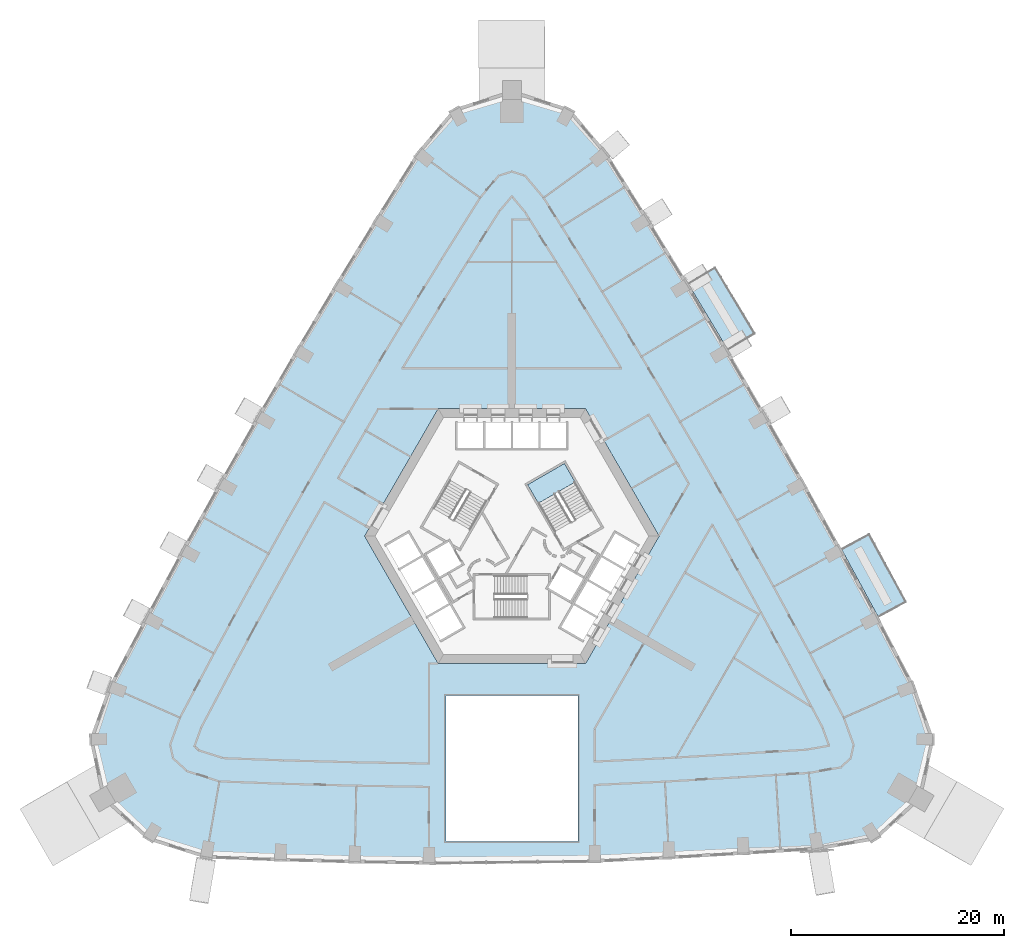
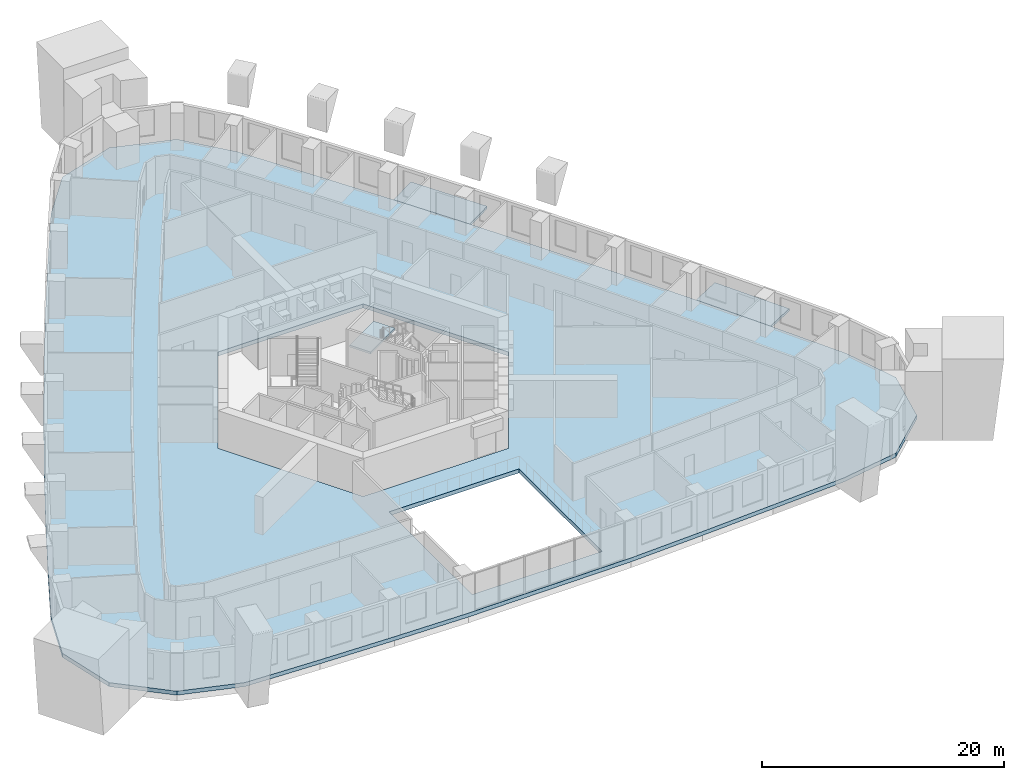
# One storey, part 3 of 15: 4 slabs, 1 element without a shape of its own.
"""IFC4 building model written with IfcOpenShell, lengths in metres."""

from ifc_helpers import new_model, si_unit, direction, frame, origin, place, context, subcontext, project, spatial, polyline, outline, extrude, material, layer, layer_set, type_object, element, aggregate, save


model = new_model("IFC4")

# Units and contexts
model_context = context("Model", 3, precision=1e-05, world=origin(), true_north=direction((0.0, 1.0)))
body_context = subcontext(model_context, "Body", "Model", "MODEL_VIEW")
ifc_project = project(units=[si_unit("LENGTHUNIT", "METRE"), si_unit("AREAUNIT", "SQUARE_METRE"), si_unit("VOLUMEUNIT", "CUBIC_METRE"), si_unit("PLANEANGLEUNIT", "RADIAN"), si_unit("MASSUNIT", "GRAM", prefix="KILO")], contexts=[model_context])

# Site, building, storey
site_placement = place(None, origin())
site = spatial("IfcSite", under=ifc_project, at=site_placement, CompositionType="ELEMENT")
building_placement = place(site_placement, origin())
building = spatial("IfcBuilding", under=site, at=building_placement, Name="Entoto Arch Interchange Tower", CompositionType="ELEMENT")
storey_placement = place(building_placement, frame((0.0, 0.0, 124.39990234375)))
storey = spatial("IfcBuildingStorey", under=building, at=storey_placement, Name="L27", CompositionType="ELEMENT", Elevation=124.39990234375)

# Slabs
ifc_material_1 = material(Name="Board-marked precast concrete C50/60", Category="concrete")
ifc_layer_1 = layer(ifc_material_1, 0.25)
ifc_layer_set_1 = layer_set([ifc_layer_1], Name="Board-marked precast concrete C50/60")
slab_type_1 = type_object("IfcSlabType", Name="BALCONY DECK PRECAST 250", PredefinedType="FLOOR", material=ifc_layer_set_1)
slab_1_placement = place(storey_placement, frame((0.0, 0.0, -0.25)))
element("IfcSlab", 1, at=slab_1_placement, inside=storey, type_object=slab_type_1, Name="Planted balcony NE-02 L27", PredefinedType="FLOOR", context=body_context, shape_type="SweptSolid", body=[
    extrude(outline(polyline([(34.468994140625, -5.0869140625), (31.028076171875, 1.25390625), (33.62109375, 2.660888671875), (37.06201171875, -3.679931640625), (34.468994140625, -5.0869140625)])), origin(), (0.0, 0.0, 1.0), 0.25),
])
slab_2_placement = place(storey_placement, frame((0.0, 0.0, -0.25)))
element("IfcSlab", 2, at=slab_2_placement, inside=storey, type_object=slab_type_1, Name="Planted balcony NE-06 L27", PredefinedType="FLOOR", context=body_context, shape_type="SweptSolid", body=[
    extrude(outline(polyline([(20.305908203125, 20.053955078125), (16.60009765625, 26.243896484375), (19.131103515625, 27.759033203125), (22.8369140625, 21.569091796875), (20.305908203125, 20.053955078125)])), origin(), (0.0, 0.0, 1.0), 0.25),
])

# Stair, slab
ifc_material_2 = material(Name="Concrete C40/50", Category="concrete")
stair_type = type_object("IfcStairType", Name="EXIT STAIR RC 1800", PredefinedType="HALF_TURN_STAIR", material=ifc_material_2)
stair_placement = place(storey_placement, origin())
stair = element("IfcStair", 3, at=stair_placement, inside=storey, type_object=stair_type, Name="L27 Exit stair NE", PredefinedType="HALF_TURN_STAIR")
ifc_layer_2 = layer(ifc_material_2, 0.199951171875)
ifc_layer_set_2 = layer_set([ifc_layer_2], Name="Concrete C40/50")
slab_type_2 = type_object("IfcSlabType", Name="EXIT STAIR LANDING RC 200", PredefinedType="LANDING", material=ifc_layer_set_2)
slab_3_placement = place(storey_placement, frame((0.0, 0.0, 1.900146484375)))
slab_3 = element("IfcSlab", 4, at=slab_3_placement, type_object=slab_type_2, Name="ST-NE landing 1", PredefinedType="LANDING", context=body_context, shape_type="SweptSolid", body=[
    extrude(outline(polyline([(5.953369140625, 7.58837890625), (4.943359375, 9.337890625), (1.479248046875, 7.337890625), (2.4892578125, 5.58837890625), (5.953369140625, 7.58837890625)])), origin(), (0.0, 0.0, 1.0), 0.199951171875),
])
aggregate(stair, [slab_3])

# Slab
ifc_layer_3 = layer(ifc_material_2, 0.39990234375)
ifc_layer_set_3 = layer_set([ifc_layer_3], Name="Concrete C40/50")
slab_type_3 = type_object("IfcSlabType", Name="Post-tensioned flat plate 400 C40/50", PredefinedType="FLOOR", material=ifc_layer_set_3)
slab_4_placement = place(storey_placement, frame((0.0, 0.0, -0.39990234375)))
element("IfcSlab", 5, at=slab_4_placement, inside=storey, type_object=slab_type_3, Name="Floor slab L27", PredefinedType="FLOOR", context=body_context, shape_type="SweptSolid", body=[
    extrude(outline(polyline([(-28.783935546875, -27.8369140625), (-21.7890625, -28.094970703125), (-14.794921875, -28.281982421875), (-7.800048828125, -28.39794921875), (7.800048828125, -28.22509765625), (14.794921875, -27.886962890625), (21.7890625, -27.47802734375), (28.783935546875, -27.044921875), (34.27587890625, -26.10009765625), (38.512939453125, -22.236083984375), (39.740966796875, -16.635009765625), (37.924072265625, -11.617919921875), (34.468994140625, -5.0869140625), (31.028076171875, 1.25390625), (27.52001953125, 7.55810546875), (23.945068359375, 13.824951171875), (20.305908203125, 20.053955078125), (16.60009765625, 26.243896484375), (12.8291015625, 32.39404296875), (8.90087890625, 38.652099609375), (5.465087890625, 42.73388671875), (0.0, 44.470947265625), (-5.465087890625, 42.73388671875), (-8.90087890625, 38.652099609375), (-12.8291015625, 32.39404296875), (-16.60009765625, 26.243896484375), (-20.305908203125, 20.053955078125), (-23.945068359375, 13.824951171875), (-27.52001953125, 7.55810546875), (-31.028076171875, 1.25390625), (-34.468994140625, -5.0869140625), (-37.924072265625, -11.617919921875), (-39.740966796875, -16.635009765625), (-38.512939453125, -22.236083984375), (-34.27587890625, -26.10009765625), (-28.783935546875, -27.8369140625)]), holes=[polyline([(6.199951171875, -26.22509765625), (6.199951171875, -12.5), (-6.199951171875, -12.5), (-6.199951171875, -26.22509765625), (6.199951171875, -26.22509765625)]), polyline([(13.85595703125, 2.5), (6.927978515625, 14.5), (-6.927978515625, 14.5), (-13.85595703125, 2.5), (-6.927978515625, -9.5), (6.927978515625, -9.5), (13.85595703125, 2.5)])]), origin(), (0.0, 0.0, 1.0), 0.39990234375),
])

save(model, "model.ifc")
